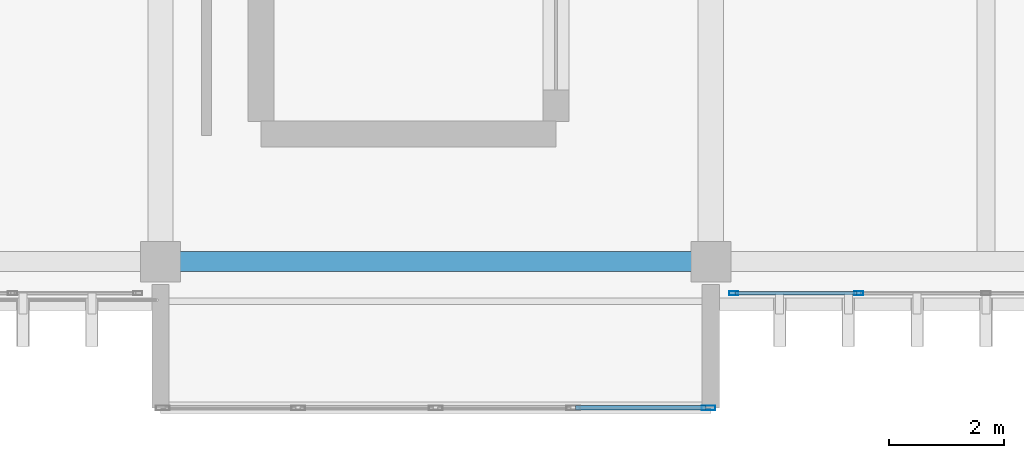
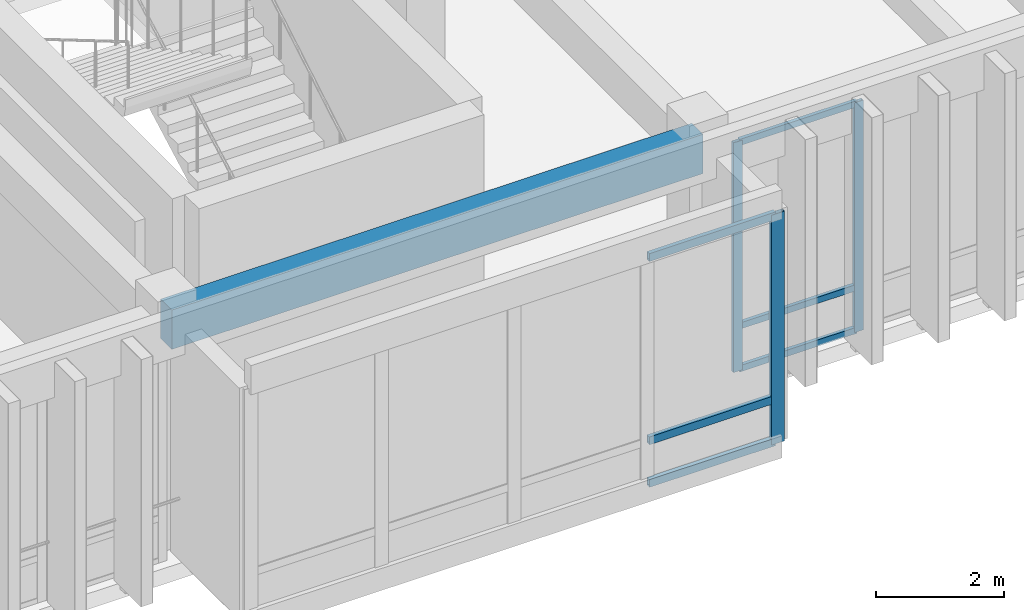
# One storey, part 18 of 133: 9 members, 1 beam, 2 elements without a shape of their own.
"""IFC4 building model written with IfcOpenShell, lengths in metres."""

from ifc_helpers import new_model, si_unit, direction, frame, origin, origin_2d, place, context, subcontext, project, spatial, rectangle, hollow_rectangle, extrude, material, layer, layer_set, material_profile, profile_set, type_object, element, aggregate, save


model = new_model("IFC4")

# Units and contexts
model_context = context("Model", 3, precision=1e-05, world=origin(), true_north=direction((0.0, 1.0)))
body_context = subcontext(model_context, "Body", "Model", "MODEL_VIEW")
ifc_project = project(units=[si_unit("LENGTHUNIT", "METRE"), si_unit("AREAUNIT", "SQUARE_METRE"), si_unit("VOLUMEUNIT", "CUBIC_METRE"), si_unit("PLANEANGLEUNIT", "RADIAN"), si_unit("MASSUNIT", "GRAM", prefix="KILO")], contexts=[model_context])

# Site, building, storey
site_placement = place(None, origin())
site = spatial("IfcSite", under=ifc_project, at=site_placement, CompositionType="ELEMENT")
building_placement = place(site_placement, origin())
building = spatial("IfcBuilding", under=site, at=building_placement, Name="Nakhvara Creek Congress Hotel", CompositionType="ELEMENT")
storey_placement = place(building_placement, frame((0.0, 0.0, 11.39990234375)))
storey = spatial("IfcBuildingStorey", under=building, at=storey_placement, Name="L02", CompositionType="ELEMENT", Elevation=11.39990234375)

# Beam
ifc_material_1 = material(Name="Concrete C40/50", Category="concrete")
ifc_material_profile_1 = material_profile(ifc_material_1, rectangle(XDim=0.35009765625, YDim=0.75, at=origin_2d()), Name="RC-SPANDREL 350x750", Category="LoadBearing")
ifc_profile_set_1 = profile_set([ifc_material_profile_1], Name="Concrete C40/50")
beam_type = type_object("IfcBeamType", Name="BM-SPN-350X750", PredefinedType="SPANDREL", material=ifc_profile_set_1)
beam_placement = place(storey_placement, frame((115.199951171875, 0.75, 4.045166015625), z_axis=(1.0, 0.0, 0.0), x_axis=(0.0, 1.0, 0.0)))
element("IfcBeam", 1, at=beam_placement, inside=storey, type_object=beam_type, Name="Beam SP1-L02-1506", PredefinedType="SPANDREL", context=body_context, shape_type="SweptSolid", body=[
    extrude(rectangle(XDim=0.35009765625, YDim=0.75, at=origin_2d()), origin(), (0.0, 0.0, 1.0), 9.60009765625),
])

# Curtain wall, members
ifc_material_2 = material(Name="Bronze-anodised aluminium AW-6063-T6 and double-silver low-E glass", Category="aluminium")
ifc_layer_1 = layer(ifc_material_2, 0.199951171875)
ifc_layer_set_1 = layer_set([ifc_layer_1], Name="Bronze-anodised aluminium AW-6063-T6 and double-silver low-E glass")
curtain_wall_type_1 = type_object("IfcCurtainWallType", Name="CW-SPA-STICK", PredefinedType="NOTDEFINED", material=ifc_layer_set_1)
curtain_wall_1_placement = place(storey_placement, origin())
curtain_wall_1 = element("IfcCurtainWall", 2, at=curtain_wall_1_placement, inside=storey, type_object=curtain_wall_type_1, Name="Curtain Wall CW096", PredefinedType="NOTDEFINED")
ifc_material_3 = material(Name="Bronze-anodised aluminium AW-6063-T6", Category="aluminium")
ifc_material_profile_2 = material_profile(ifc_material_3, hollow_rectangle(XDim=0.06494140625, YDim=0.159912109375, WallThickness=0.00390625, at=origin_2d()), Name="ALU-MULL 65x160x4", Category="LoadBearing")
ifc_profile_set_2 = profile_set([ifc_material_profile_2], Name="Bronze-anodised aluminium AW-6063-T6")
member_type_1 = type_object("IfcMemberType", Name="CW-MULL-160", PredefinedType="MULLION", material=ifc_profile_set_2)
member_1_placement = place(storey_placement, frame((127.382568359375, 0.199951171875, 0.0), z_axis=(0.0, 0.0, 1.0), x_axis=(0.0, -1.0, 0.0)))
member_1 = element("IfcMember", 3, at=member_1_placement, type_object=member_type_1, Name="CW096 mullion 4", PredefinedType="MULLION", context=body_context, shape_type="SweptSolid", body=[
    extrude(hollow_rectangle(XDim=0.06494140625, YDim=0.159912109375, WallThickness=0.00390625, at=origin_2d()), origin(), (0.0, 0.0, 1.0), 4.39013671875),
])
member_2_placement = place(storey_placement, frame((125.197509765625, 0.199951171875, 0.0), z_axis=(0.0, 0.0, 1.0), x_axis=(0.0, -1.0, 0.0)))
member_2 = element("IfcMember", 4, at=member_2_placement, type_object=member_type_1, Name="CW096 mullion 5", PredefinedType="MULLION", context=body_context, shape_type="SweptSolid", body=[
    extrude(hollow_rectangle(XDim=0.06494140625, YDim=0.159912109375, WallThickness=0.00390625, at=origin_2d()), origin(), (0.0, 0.0, 1.0), 4.39013671875),
])

# Curtain wall, member
ifc_layer_2 = layer(ifc_material_2, 0.219970703125)
ifc_layer_set_2 = layer_set([ifc_layer_2], Name="Bronze-anodised aluminium AW-6063-T6 and double-silver low-E glass")
curtain_wall_type_2 = type_object("IfcCurtainWallType", Name="CW-BOX-PROJ", PredefinedType="USERDEFINED", material=ifc_layer_set_2)
curtain_wall_2_placement = place(storey_placement, origin())
curtain_wall_2 = element("IfcCurtainWall", 5, at=curtain_wall_2_placement, inside=storey, type_object=curtain_wall_type_2, Name="Curtain Wall CW089", ObjectType="UNITISED", PredefinedType="USERDEFINED")
ifc_material_profile_3 = material_profile(ifc_material_3, hollow_rectangle(XDim=0.080078125, YDim=0.239990234375, WallThickness=0.0048828125, at=origin_2d()), Name="ALU-MULL 80x240x5", Category="LoadBearing")
ifc_profile_set_3 = profile_set([ifc_material_profile_3], Name="Bronze-anodised aluminium AW-6063-T6")
member_type_2 = type_object("IfcMemberType", Name="CW-MULL-240", PredefinedType="MULLION", material=ifc_profile_set_3)
member_3_placement = place(storey_placement, frame((124.760009765625, -1.800048828125, 0.0), z_axis=(0.0, 0.0, 1.0), x_axis=(0.0, -1.0, 0.0)))
member_3 = element("IfcMember", 6, at=member_3_placement, type_object=member_type_2, Name="CW089 mullion 1", PredefinedType="MULLION", context=body_context, shape_type="SweptSolid", body=[
    extrude(hollow_rectangle(XDim=0.080078125, YDim=0.239990234375, WallThickness=0.0048828125, at=origin_2d()), origin(), (0.0, 0.0, 1.0), 4.39013671875),
])

# Member
ifc_material_profile_4 = material_profile(ifc_material_3, hollow_rectangle(XDim=0.06494140625, YDim=0.1201171875, WallThickness=0.00390625, at=origin_2d()), Name="ALU-TRAN 65x120x4", Category="LoadBearing")
ifc_profile_set_4 = profile_set([ifc_material_profile_4], Name="Bronze-anodised aluminium AW-6063-T6")
member_type_3 = type_object("IfcMemberType", Name="CW-TRAN-120", PredefinedType="USERDEFINED", material=ifc_profile_set_4)
member_4_placement = place(storey_placement, frame((127.35009765625, 0.199951171875, 0.03271484375), z_axis=(-1.0, 0.0, 0.0), x_axis=(0.0, -1.0, 0.0)))
member_4 = element("IfcMember", 7, at=member_4_placement, type_object=member_type_3, Name="CW096 transom 4.1", ObjectType="TRANSOM", PredefinedType="USERDEFINED", context=body_context, shape_type="SweptSolid", body=[
    extrude(hollow_rectangle(XDim=0.06494140625, YDim=0.1201171875, WallThickness=0.00390625, at=origin_2d()), origin(), (0.0, 0.0, 1.0), 2.1201171875),
])

member_5_placement = place(storey_placement, frame((127.35009765625, 0.199951171875, 0.85009765625), z_axis=(-1.0, 0.0, 0.0), x_axis=(0.0, -1.0, 0.0)))
member_5 = element("IfcMember", 8, at=member_5_placement, type_object=member_type_3, Name="CW096 transom 4.2", ObjectType="TRANSOM", PredefinedType="USERDEFINED", context=body_context, shape_type="SweptSolid", body=[
    extrude(hollow_rectangle(XDim=0.06494140625, YDim=0.1201171875, WallThickness=0.00390625, at=origin_2d()), origin(), (0.0, 0.0, 1.0), 2.1201171875),
])

member_6_placement = place(storey_placement, frame((127.35009765625, 0.199951171875, 4.357666015625), z_axis=(-1.0, 0.0, 0.0), x_axis=(0.0, -1.0, 0.0)))
member_6 = element("IfcMember", 9, at=member_6_placement, type_object=member_type_3, Name="CW096 transom 4.3", ObjectType="TRANSOM", PredefinedType="USERDEFINED", context=body_context, shape_type="SweptSolid", body=[
    extrude(hollow_rectangle(XDim=0.06494140625, YDim=0.1201171875, WallThickness=0.00390625, at=origin_2d()), origin(), (0.0, 0.0, 1.0), 2.1201171875),
])

aggregate(curtain_wall_1, [member_1, member_2, member_4, member_5, member_6])

ifc_material_profile_5 = material_profile(ifc_material_3, hollow_rectangle(XDim=0.074951171875, YDim=0.14990234375, WallThickness=0.00390625, at=origin_2d()), Name="ALU-TRAN 75x150x4", Category="LoadBearing")
ifc_profile_set_5 = profile_set([ifc_material_profile_5], Name="Bronze-anodised aluminium AW-6063-T6")
member_type_4 = type_object("IfcMemberType", Name="CW-TRAN-150", PredefinedType="USERDEFINED", material=ifc_profile_set_5)
member_7_placement = place(storey_placement, frame((124.719970703125, -1.800048828125, 0.03759765625), z_axis=(-1.0, 0.0, 0.0), x_axis=(0.0, -1.0, 0.0)))
member_7 = element("IfcMember", 10, at=member_7_placement, type_object=member_type_4, Name="CW089 transom 1.1", ObjectType="TRANSOM", PredefinedType="USERDEFINED", context=body_context, shape_type="SweptSolid", body=[
    extrude(hollow_rectangle(XDim=0.074951171875, YDim=0.14990234375, WallThickness=0.00390625, at=origin_2d()), origin(), (0.0, 0.0, 1.0), 2.280029296875),
])

member_8_placement = place(storey_placement, frame((124.719970703125, -1.800048828125, 0.85009765625), z_axis=(-1.0, 0.0, 0.0), x_axis=(0.0, -1.0, 0.0)))
member_8 = element("IfcMember", 11, at=member_8_placement, type_object=member_type_4, Name="CW089 transom 1.2", ObjectType="TRANSOM", PredefinedType="USERDEFINED", context=body_context, shape_type="SweptSolid", body=[
    extrude(hollow_rectangle(XDim=0.074951171875, YDim=0.14990234375, WallThickness=0.00390625, at=origin_2d()), origin(), (0.0, 0.0, 1.0), 2.280029296875),
])

member_9_placement = place(storey_placement, frame((124.719970703125, -1.800048828125, 4.3525390625), z_axis=(-1.0, 0.0, 0.0), x_axis=(0.0, -1.0, 0.0)))
member_9 = element("IfcMember", 12, at=member_9_placement, type_object=member_type_4, Name="CW089 transom 1.3", ObjectType="TRANSOM", PredefinedType="USERDEFINED", context=body_context, shape_type="SweptSolid", body=[
    extrude(hollow_rectangle(XDim=0.074951171875, YDim=0.14990234375, WallThickness=0.00390625, at=origin_2d()), origin(), (0.0, 0.0, 1.0), 2.280029296875),
])

aggregate(curtain_wall_2, [member_3, member_7, member_8, member_9])

save(model, "model.ifc")
